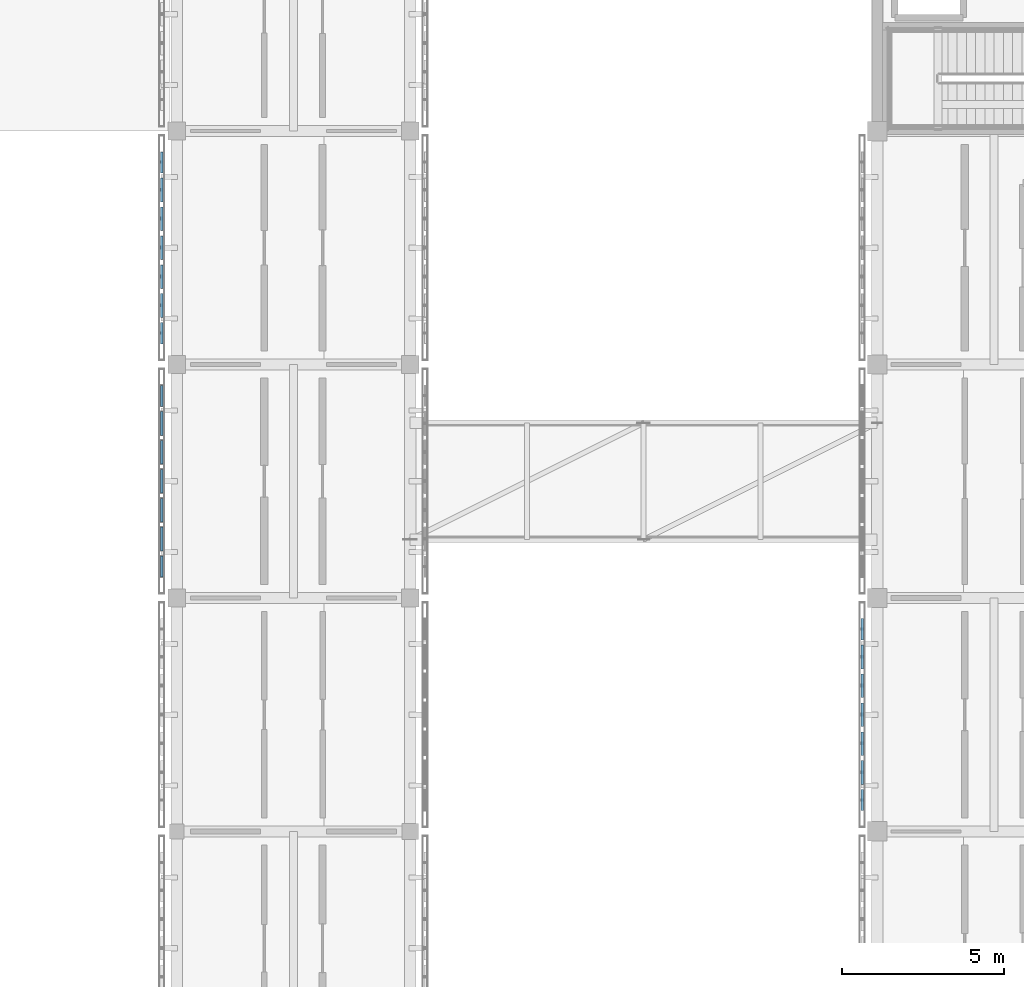
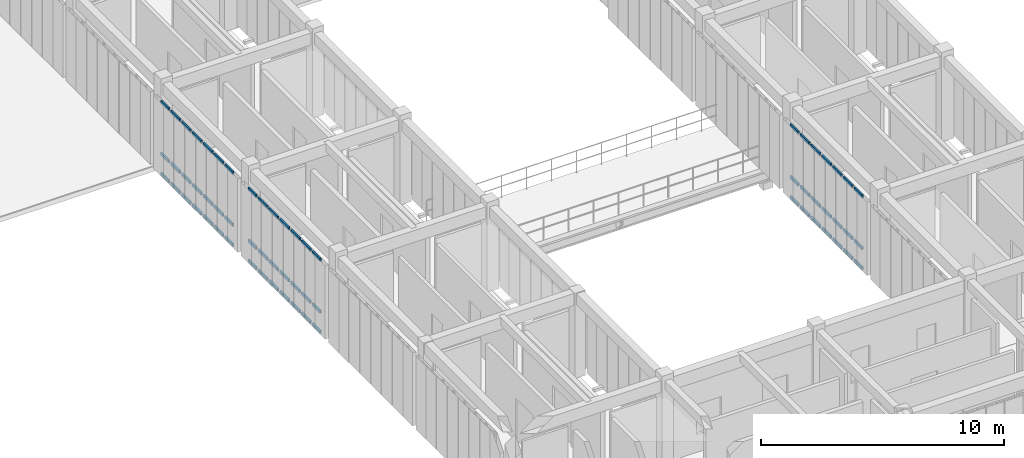
# One storey, part 36 of 91: 63 members, 3 elements without a shape of their own.
"""IFC4 building model written with IfcOpenShell, lengths in metres."""

from ifc_helpers import new_model, si_unit, direction, frame, origin, origin_2d, place, context, subcontext, project, spatial, hollow_rectangle, extrude, material, material_profile, profile_set, type_object, element, aggregate, save


model = new_model("IFC4")

# Units and contexts
model_context = context("Model", 3, precision=1e-05, world=origin(), true_north=direction((0.0, 1.0)))
body_context = subcontext(model_context, "Body", "Model", "MODEL_VIEW")
ifc_project = project(units=[si_unit("LENGTHUNIT", "METRE"), si_unit("AREAUNIT", "SQUARE_METRE"), si_unit("VOLUMEUNIT", "CUBIC_METRE"), si_unit("PLANEANGLEUNIT", "RADIAN"), si_unit("MASSUNIT", "GRAM", prefix="KILO")], contexts=[model_context])

# Site, building, storey
site_placement = place(None, origin())
site = spatial("IfcSite", under=ifc_project, at=site_placement, CompositionType="ELEMENT")
building_placement = place(site_placement, origin())
building = spatial("IfcBuilding", under=site, at=building_placement, Name="Aldebral Square Health Centre", CompositionType="ELEMENT")
storey_placement = place(building_placement, frame((0.0, 0.0, 9.0)))
storey = spatial("IfcBuildingStorey", under=building, at=storey_placement, Name="L02", CompositionType="ELEMENT", Elevation=9.0)

# Curtain wall, members
ifc_material_1 = material(Name="Aluminium and low-E solar glass", Category="aluminium")
curtain_wall_type = type_object("IfcCurtainWallType", Name="CW-FIN-SYS", PredefinedType="USERDEFINED", material=ifc_material_1)
curtain_wall_1_placement = place(storey_placement, origin())
curtain_wall_1 = element("IfcCurtainWall", 1, at=curtain_wall_1_placement, inside=storey, type_object=curtain_wall_type, Name="L02 V5 finned curtain wall L02-V5-19-11-W", ObjectType="SOLAR_CURTAIN_WALL", PredefinedType="USERDEFINED")
ifc_material_2 = material(Name="Anodised aluminium transom", Category="aluminium")
ifc_material_profile = material_profile(ifc_material_2, hollow_rectangle(XDim=0.074951171875, YDim=0.14990234375, WallThickness=0.00390625, at=origin_2d()), Name="CWT 75x150x4")
ifc_profile_set = profile_set([ifc_material_profile], Name="Anodised aluminium transom")
member_type = type_object("IfcMemberType", Name="CWT-STD", PredefinedType="USERDEFINED", material=ifc_profile_set)
member_1_placement = place(storey_placement, frame((136.340087890625, 85.760009765625, 0.03759765625), z_axis=(0.0, -1.0, 0.0), x_axis=(1.0, 0.0, 0.0)))
member_1 = element("IfcMember", 2, at=member_1_placement, type_object=member_type, Name="CW1 transom 1.1", ObjectType="TRANSOM", PredefinedType="USERDEFINED", context=body_context, shape_type="SweptSolid", body=[
    extrude(hollow_rectangle(XDim=0.074951171875, YDim=0.14990234375, WallThickness=0.00390625, at=origin_2d()), origin(), (0.0, 0.0, 1.0), 0.6513671875),
])
member_2_placement = place(storey_placement, frame((136.340087890625, 85.760009765625, 1.050048828125), z_axis=(0.0, -1.0, 0.0), x_axis=(1.0, 0.0, 0.0)))
member_2 = element("IfcMember", 3, at=member_2_placement, type_object=member_type, Name="CW1 transom 1.2", ObjectType="TRANSOM", PredefinedType="USERDEFINED", context=body_context, shape_type="SweptSolid", body=[
    extrude(hollow_rectangle(XDim=0.074951171875, YDim=0.14990234375, WallThickness=0.00390625, at=origin_2d()), origin(), (0.0, 0.0, 1.0), 0.6513671875),
])
member_3_placement = place(storey_placement, frame((136.340087890625, 85.760009765625, 3.652587890625), z_axis=(0.0, -1.0, 0.0), x_axis=(1.0, 0.0, 0.0)))
member_3 = element("IfcMember", 4, at=member_3_placement, type_object=member_type, Name="CW1 transom 1.3", ObjectType="TRANSOM", PredefinedType="USERDEFINED", context=body_context, shape_type="SweptSolid", body=[
    extrude(hollow_rectangle(XDim=0.074951171875, YDim=0.14990234375, WallThickness=0.00390625, at=origin_2d()), origin(), (0.0, 0.0, 1.0), 0.6513671875),
])
member_4_placement = place(storey_placement, frame((136.340087890625, 84.948486328125, 0.03759765625), z_axis=(0.0, -1.0, 0.0), x_axis=(1.0, 0.0, 0.0)))
member_4 = element("IfcMember", 5, at=member_4_placement, type_object=member_type, Name="CW1 transom 2.1", ObjectType="TRANSOM", PredefinedType="USERDEFINED", context=body_context, shape_type="SweptSolid", body=[
    extrude(hollow_rectangle(XDim=0.074951171875, YDim=0.14990234375, WallThickness=0.00390625, at=origin_2d()), origin(), (0.0, 0.0, 1.0), 0.7314453125),
])
member_5_placement = place(storey_placement, frame((136.340087890625, 84.948486328125, 1.050048828125), z_axis=(0.0, -1.0, 0.0), x_axis=(1.0, 0.0, 0.0)))
member_5 = element("IfcMember", 6, at=member_5_placement, type_object=member_type, Name="CW1 transom 2.2", ObjectType="TRANSOM", PredefinedType="USERDEFINED", context=body_context, shape_type="SweptSolid", body=[
    extrude(hollow_rectangle(XDim=0.074951171875, YDim=0.14990234375, WallThickness=0.00390625, at=origin_2d()), origin(), (0.0, 0.0, 1.0), 0.7314453125),
])
member_6_placement = place(storey_placement, frame((136.340087890625, 84.948486328125, 3.652587890625), z_axis=(0.0, -1.0, 0.0), x_axis=(1.0, 0.0, 0.0)))
member_6 = element("IfcMember", 7, at=member_6_placement, type_object=member_type, Name="CW1 transom 2.3", ObjectType="TRANSOM", PredefinedType="USERDEFINED", context=body_context, shape_type="SweptSolid", body=[
    extrude(hollow_rectangle(XDim=0.074951171875, YDim=0.14990234375, WallThickness=0.00390625, at=origin_2d()), origin(), (0.0, 0.0, 1.0), 0.7314453125),
])
member_7_placement = place(storey_placement, frame((136.340087890625, 84.05712890625, 0.03759765625), z_axis=(0.0, -1.0, 0.0), x_axis=(1.0, 0.0, 0.0)))
member_7 = element("IfcMember", 8, at=member_7_placement, type_object=member_type, Name="CW1 transom 3.1", ObjectType="TRANSOM", PredefinedType="USERDEFINED", context=body_context, shape_type="SweptSolid", body=[
    extrude(hollow_rectangle(XDim=0.074951171875, YDim=0.14990234375, WallThickness=0.00390625, at=origin_2d()), origin(), (0.0, 0.0, 1.0), 0.7314453125),
])
member_8_placement = place(storey_placement, frame((136.340087890625, 84.05712890625, 1.050048828125), z_axis=(0.0, -1.0, 0.0), x_axis=(1.0, 0.0, 0.0)))
member_8 = element("IfcMember", 9, at=member_8_placement, type_object=member_type, Name="CW1 transom 3.2", ObjectType="TRANSOM", PredefinedType="USERDEFINED", context=body_context, shape_type="SweptSolid", body=[
    extrude(hollow_rectangle(XDim=0.074951171875, YDim=0.14990234375, WallThickness=0.00390625, at=origin_2d()), origin(), (0.0, 0.0, 1.0), 0.7314453125),
])
member_9_placement = place(storey_placement, frame((136.340087890625, 84.05712890625, 3.652587890625), z_axis=(0.0, -1.0, 0.0), x_axis=(1.0, 0.0, 0.0)))
member_9 = element("IfcMember", 10, at=member_9_placement, type_object=member_type, Name="CW1 transom 3.3", ObjectType="TRANSOM", PredefinedType="USERDEFINED", context=body_context, shape_type="SweptSolid", body=[
    extrude(hollow_rectangle(XDim=0.074951171875, YDim=0.14990234375, WallThickness=0.00390625, at=origin_2d()), origin(), (0.0, 0.0, 1.0), 0.7314453125),
])
member_10_placement = place(storey_placement, frame((136.340087890625, 83.165771484375, 0.03759765625), z_axis=(0.0, -1.0, 0.0), x_axis=(1.0, 0.0, 0.0)))
member_10 = element("IfcMember", 11, at=member_10_placement, type_object=member_type, Name="CW1 transom 4.1", ObjectType="TRANSOM", PredefinedType="USERDEFINED", context=body_context, shape_type="SweptSolid", body=[
    extrude(hollow_rectangle(XDim=0.074951171875, YDim=0.14990234375, WallThickness=0.00390625, at=origin_2d()), origin(), (0.0, 0.0, 1.0), 0.7314453125),
])
member_11_placement = place(storey_placement, frame((136.340087890625, 83.165771484375, 1.050048828125), z_axis=(0.0, -1.0, 0.0), x_axis=(1.0, 0.0, 0.0)))
member_11 = element("IfcMember", 12, at=member_11_placement, type_object=member_type, Name="CW1 transom 4.2", ObjectType="TRANSOM", PredefinedType="USERDEFINED", context=body_context, shape_type="SweptSolid", body=[
    extrude(hollow_rectangle(XDim=0.074951171875, YDim=0.14990234375, WallThickness=0.00390625, at=origin_2d()), origin(), (0.0, 0.0, 1.0), 0.7314453125),
])
member_12_placement = place(storey_placement, frame((136.340087890625, 83.165771484375, 3.652587890625), z_axis=(0.0, -1.0, 0.0), x_axis=(1.0, 0.0, 0.0)))
member_12 = element("IfcMember", 13, at=member_12_placement, type_object=member_type, Name="CW1 transom 4.3", ObjectType="TRANSOM", PredefinedType="USERDEFINED", context=body_context, shape_type="SweptSolid", body=[
    extrude(hollow_rectangle(XDim=0.074951171875, YDim=0.14990234375, WallThickness=0.00390625, at=origin_2d()), origin(), (0.0, 0.0, 1.0), 0.7314453125),
])
member_13_placement = place(storey_placement, frame((136.340087890625, 82.274169921875, 0.03759765625), z_axis=(0.0, -1.0, 0.0), x_axis=(1.0, 0.0, 0.0)))
member_13 = element("IfcMember", 14, at=member_13_placement, type_object=member_type, Name="CW1 transom 5.1", ObjectType="TRANSOM", PredefinedType="USERDEFINED", context=body_context, shape_type="SweptSolid", body=[
    extrude(hollow_rectangle(XDim=0.074951171875, YDim=0.14990234375, WallThickness=0.00390625, at=origin_2d()), origin(), (0.0, 0.0, 1.0), 0.731201171875),
])
member_14_placement = place(storey_placement, frame((136.340087890625, 82.274169921875, 1.050048828125), z_axis=(0.0, -1.0, 0.0), x_axis=(1.0, 0.0, 0.0)))
member_14 = element("IfcMember", 15, at=member_14_placement, type_object=member_type, Name="CW1 transom 5.2", ObjectType="TRANSOM", PredefinedType="USERDEFINED", context=body_context, shape_type="SweptSolid", body=[
    extrude(hollow_rectangle(XDim=0.074951171875, YDim=0.14990234375, WallThickness=0.00390625, at=origin_2d()), origin(), (0.0, 0.0, 1.0), 0.731201171875),
])
member_15_placement = place(storey_placement, frame((136.340087890625, 82.274169921875, 3.652587890625), z_axis=(0.0, -1.0, 0.0), x_axis=(1.0, 0.0, 0.0)))
member_15 = element("IfcMember", 16, at=member_15_placement, type_object=member_type, Name="CW1 transom 5.3", ObjectType="TRANSOM", PredefinedType="USERDEFINED", context=body_context, shape_type="SweptSolid", body=[
    extrude(hollow_rectangle(XDim=0.074951171875, YDim=0.14990234375, WallThickness=0.00390625, at=origin_2d()), origin(), (0.0, 0.0, 1.0), 0.731201171875),
])
member_16_placement = place(storey_placement, frame((136.340087890625, 81.3828125, 0.03759765625), z_axis=(0.0, -1.0, 0.0), x_axis=(1.0, 0.0, 0.0)))
member_16 = element("IfcMember", 17, at=member_16_placement, type_object=member_type, Name="CW1 transom 6.1", ObjectType="TRANSOM", PredefinedType="USERDEFINED", context=body_context, shape_type="SweptSolid", body=[
    extrude(hollow_rectangle(XDim=0.074951171875, YDim=0.14990234375, WallThickness=0.00390625, at=origin_2d()), origin(), (0.0, 0.0, 1.0), 0.7314453125),
])
member_17_placement = place(storey_placement, frame((136.340087890625, 81.3828125, 1.050048828125), z_axis=(0.0, -1.0, 0.0), x_axis=(1.0, 0.0, 0.0)))
member_17 = element("IfcMember", 18, at=member_17_placement, type_object=member_type, Name="CW1 transom 6.2", ObjectType="TRANSOM", PredefinedType="USERDEFINED", context=body_context, shape_type="SweptSolid", body=[
    extrude(hollow_rectangle(XDim=0.074951171875, YDim=0.14990234375, WallThickness=0.00390625, at=origin_2d()), origin(), (0.0, 0.0, 1.0), 0.7314453125),
])
member_18_placement = place(storey_placement, frame((136.340087890625, 81.3828125, 3.652587890625), z_axis=(0.0, -1.0, 0.0), x_axis=(1.0, 0.0, 0.0)))
member_18 = element("IfcMember", 19, at=member_18_placement, type_object=member_type, Name="CW1 transom 6.3", ObjectType="TRANSOM", PredefinedType="USERDEFINED", context=body_context, shape_type="SweptSolid", body=[
    extrude(hollow_rectangle(XDim=0.074951171875, YDim=0.14990234375, WallThickness=0.00390625, at=origin_2d()), origin(), (0.0, 0.0, 1.0), 0.7314453125),
])
member_19_placement = place(storey_placement, frame((136.340087890625, 80.491455078125, 0.03759765625), z_axis=(0.0, -1.0, 0.0), x_axis=(1.0, 0.0, 0.0)))
member_19 = element("IfcMember", 20, at=member_19_placement, type_object=member_type, Name="CW1 transom 7.1", ObjectType="TRANSOM", PredefinedType="USERDEFINED", context=body_context, shape_type="SweptSolid", body=[
    extrude(hollow_rectangle(XDim=0.074951171875, YDim=0.14990234375, WallThickness=0.00390625, at=origin_2d()), origin(), (0.0, 0.0, 1.0), 0.6513671875),
])
member_20_placement = place(storey_placement, frame((136.340087890625, 80.491455078125, 1.050048828125), z_axis=(0.0, -1.0, 0.0), x_axis=(1.0, 0.0, 0.0)))
member_20 = element("IfcMember", 21, at=member_20_placement, type_object=member_type, Name="CW1 transom 7.2", ObjectType="TRANSOM", PredefinedType="USERDEFINED", context=body_context, shape_type="SweptSolid", body=[
    extrude(hollow_rectangle(XDim=0.074951171875, YDim=0.14990234375, WallThickness=0.00390625, at=origin_2d()), origin(), (0.0, 0.0, 1.0), 0.6513671875),
])
member_21_placement = place(storey_placement, frame((136.340087890625, 80.491455078125, 3.652587890625), z_axis=(0.0, -1.0, 0.0), x_axis=(1.0, 0.0, 0.0)))
member_21 = element("IfcMember", 22, at=member_21_placement, type_object=member_type, Name="CW1 transom 7.3", ObjectType="TRANSOM", PredefinedType="USERDEFINED", context=body_context, shape_type="SweptSolid", body=[
    extrude(hollow_rectangle(XDim=0.074951171875, YDim=0.14990234375, WallThickness=0.00390625, at=origin_2d()), origin(), (0.0, 0.0, 1.0), 0.6513671875),
])
aggregate(curtain_wall_1, [member_1, member_2, member_3, member_4, member_5, member_6, member_7, member_8, member_9, member_10, member_11, member_12, member_13, member_14, member_15, member_16, member_17, member_18, member_19, member_20, member_21])

curtain_wall_2_placement = place(storey_placement, origin())
curtain_wall_2 = element("IfcCurtainWall", 23, at=curtain_wall_2_placement, inside=storey, type_object=curtain_wall_type, Name="L02 V5 finned curtain wall L02-V5-19-12-W", ObjectType="SOLAR_CURTAIN_WALL", PredefinedType="USERDEFINED")
member_22_placement = place(storey_placement, frame((136.340087890625, 92.9599609375, 0.03759765625), z_axis=(0.0, -1.0, 0.0), x_axis=(1.0, 0.0, 0.0)))
member_22 = element("IfcMember", 24, at=member_22_placement, type_object=member_type, Name="CW1 transom 1.1", ObjectType="TRANSOM", PredefinedType="USERDEFINED", context=body_context, shape_type="SweptSolid", body=[
    extrude(hollow_rectangle(XDim=0.074951171875, YDim=0.14990234375, WallThickness=0.00390625, at=origin_2d()), origin(), (0.0, 0.0, 1.0), 0.6513671875),
])
member_23_placement = place(storey_placement, frame((136.340087890625, 92.9599609375, 1.050048828125), z_axis=(0.0, -1.0, 0.0), x_axis=(1.0, 0.0, 0.0)))
member_23 = element("IfcMember", 25, at=member_23_placement, type_object=member_type, Name="CW1 transom 1.2", ObjectType="TRANSOM", PredefinedType="USERDEFINED", context=body_context, shape_type="SweptSolid", body=[
    extrude(hollow_rectangle(XDim=0.074951171875, YDim=0.14990234375, WallThickness=0.00390625, at=origin_2d()), origin(), (0.0, 0.0, 1.0), 0.6513671875),
])
member_24_placement = place(storey_placement, frame((136.340087890625, 92.9599609375, 3.652587890625), z_axis=(0.0, -1.0, 0.0), x_axis=(1.0, 0.0, 0.0)))
member_24 = element("IfcMember", 26, at=member_24_placement, type_object=member_type, Name="CW1 transom 1.3", ObjectType="TRANSOM", PredefinedType="USERDEFINED", context=body_context, shape_type="SweptSolid", body=[
    extrude(hollow_rectangle(XDim=0.074951171875, YDim=0.14990234375, WallThickness=0.00390625, at=origin_2d()), origin(), (0.0, 0.0, 1.0), 0.6513671875),
])
member_25_placement = place(storey_placement, frame((136.340087890625, 92.148681640625, 0.03759765625), z_axis=(0.0, -1.0, 0.0), x_axis=(1.0, 0.0, 0.0)))
member_25 = element("IfcMember", 27, at=member_25_placement, type_object=member_type, Name="CW1 transom 2.1", ObjectType="TRANSOM", PredefinedType="USERDEFINED", context=body_context, shape_type="SweptSolid", body=[
    extrude(hollow_rectangle(XDim=0.074951171875, YDim=0.14990234375, WallThickness=0.00390625, at=origin_2d()), origin(), (0.0, 0.0, 1.0), 0.7314453125),
])
member_26_placement = place(storey_placement, frame((136.340087890625, 92.148681640625, 1.050048828125), z_axis=(0.0, -1.0, 0.0), x_axis=(1.0, 0.0, 0.0)))
member_26 = element("IfcMember", 28, at=member_26_placement, type_object=member_type, Name="CW1 transom 2.2", ObjectType="TRANSOM", PredefinedType="USERDEFINED", context=body_context, shape_type="SweptSolid", body=[
    extrude(hollow_rectangle(XDim=0.074951171875, YDim=0.14990234375, WallThickness=0.00390625, at=origin_2d()), origin(), (0.0, 0.0, 1.0), 0.7314453125),
])
member_27_placement = place(storey_placement, frame((136.340087890625, 92.148681640625, 3.652587890625), z_axis=(0.0, -1.0, 0.0), x_axis=(1.0, 0.0, 0.0)))
member_27 = element("IfcMember", 29, at=member_27_placement, type_object=member_type, Name="CW1 transom 2.3", ObjectType="TRANSOM", PredefinedType="USERDEFINED", context=body_context, shape_type="SweptSolid", body=[
    extrude(hollow_rectangle(XDim=0.074951171875, YDim=0.14990234375, WallThickness=0.00390625, at=origin_2d()), origin(), (0.0, 0.0, 1.0), 0.7314453125),
])
member_28_placement = place(storey_placement, frame((136.340087890625, 91.257080078125, 0.03759765625), z_axis=(0.0, -1.0, 0.0), x_axis=(1.0, 0.0, 0.0)))
member_28 = element("IfcMember", 30, at=member_28_placement, type_object=member_type, Name="CW1 transom 3.1", ObjectType="TRANSOM", PredefinedType="USERDEFINED", context=body_context, shape_type="SweptSolid", body=[
    extrude(hollow_rectangle(XDim=0.074951171875, YDim=0.14990234375, WallThickness=0.00390625, at=origin_2d()), origin(), (0.0, 0.0, 1.0), 0.7314453125),
])
member_29_placement = place(storey_placement, frame((136.340087890625, 91.257080078125, 1.050048828125), z_axis=(0.0, -1.0, 0.0), x_axis=(1.0, 0.0, 0.0)))
member_29 = element("IfcMember", 31, at=member_29_placement, type_object=member_type, Name="CW1 transom 3.2", ObjectType="TRANSOM", PredefinedType="USERDEFINED", context=body_context, shape_type="SweptSolid", body=[
    extrude(hollow_rectangle(XDim=0.074951171875, YDim=0.14990234375, WallThickness=0.00390625, at=origin_2d()), origin(), (0.0, 0.0, 1.0), 0.7314453125),
])
member_30_placement = place(storey_placement, frame((136.340087890625, 91.257080078125, 3.652587890625), z_axis=(0.0, -1.0, 0.0), x_axis=(1.0, 0.0, 0.0)))
member_30 = element("IfcMember", 32, at=member_30_placement, type_object=member_type, Name="CW1 transom 3.3", ObjectType="TRANSOM", PredefinedType="USERDEFINED", context=body_context, shape_type="SweptSolid", body=[
    extrude(hollow_rectangle(XDim=0.074951171875, YDim=0.14990234375, WallThickness=0.00390625, at=origin_2d()), origin(), (0.0, 0.0, 1.0), 0.7314453125),
])
member_31_placement = place(storey_placement, frame((136.340087890625, 90.36572265625, 0.03759765625), z_axis=(0.0, -1.0, 0.0), x_axis=(1.0, 0.0, 0.0)))
member_31 = element("IfcMember", 33, at=member_31_placement, type_object=member_type, Name="CW1 transom 4.1", ObjectType="TRANSOM", PredefinedType="USERDEFINED", context=body_context, shape_type="SweptSolid", body=[
    extrude(hollow_rectangle(XDim=0.074951171875, YDim=0.14990234375, WallThickness=0.00390625, at=origin_2d()), origin(), (0.0, 0.0, 1.0), 0.7314453125),
])
member_32_placement = place(storey_placement, frame((136.340087890625, 90.36572265625, 1.050048828125), z_axis=(0.0, -1.0, 0.0), x_axis=(1.0, 0.0, 0.0)))
member_32 = element("IfcMember", 34, at=member_32_placement, type_object=member_type, Name="CW1 transom 4.2", ObjectType="TRANSOM", PredefinedType="USERDEFINED", context=body_context, shape_type="SweptSolid", body=[
    extrude(hollow_rectangle(XDim=0.074951171875, YDim=0.14990234375, WallThickness=0.00390625, at=origin_2d()), origin(), (0.0, 0.0, 1.0), 0.7314453125),
])
member_33_placement = place(storey_placement, frame((136.340087890625, 90.36572265625, 3.652587890625), z_axis=(0.0, -1.0, 0.0), x_axis=(1.0, 0.0, 0.0)))
member_33 = element("IfcMember", 35, at=member_33_placement, type_object=member_type, Name="CW1 transom 4.3", ObjectType="TRANSOM", PredefinedType="USERDEFINED", context=body_context, shape_type="SweptSolid", body=[
    extrude(hollow_rectangle(XDim=0.074951171875, YDim=0.14990234375, WallThickness=0.00390625, at=origin_2d()), origin(), (0.0, 0.0, 1.0), 0.7314453125),
])
member_34_placement = place(storey_placement, frame((136.340087890625, 89.474365234375, 0.03759765625), z_axis=(0.0, -1.0, 0.0), x_axis=(1.0, 0.0, 0.0)))
member_34 = element("IfcMember", 36, at=member_34_placement, type_object=member_type, Name="CW1 transom 5.1", ObjectType="TRANSOM", PredefinedType="USERDEFINED", context=body_context, shape_type="SweptSolid", body=[
    extrude(hollow_rectangle(XDim=0.074951171875, YDim=0.14990234375, WallThickness=0.00390625, at=origin_2d()), origin(), (0.0, 0.0, 1.0), 0.7314453125),
])
member_35_placement = place(storey_placement, frame((136.340087890625, 89.474365234375, 1.050048828125), z_axis=(0.0, -1.0, 0.0), x_axis=(1.0, 0.0, 0.0)))
member_35 = element("IfcMember", 37, at=member_35_placement, type_object=member_type, Name="CW1 transom 5.2", ObjectType="TRANSOM", PredefinedType="USERDEFINED", context=body_context, shape_type="SweptSolid", body=[
    extrude(hollow_rectangle(XDim=0.074951171875, YDim=0.14990234375, WallThickness=0.00390625, at=origin_2d()), origin(), (0.0, 0.0, 1.0), 0.7314453125),
])
member_36_placement = place(storey_placement, frame((136.340087890625, 89.474365234375, 3.652587890625), z_axis=(0.0, -1.0, 0.0), x_axis=(1.0, 0.0, 0.0)))
member_36 = element("IfcMember", 38, at=member_36_placement, type_object=member_type, Name="CW1 transom 5.3", ObjectType="TRANSOM", PredefinedType="USERDEFINED", context=body_context, shape_type="SweptSolid", body=[
    extrude(hollow_rectangle(XDim=0.074951171875, YDim=0.14990234375, WallThickness=0.00390625, at=origin_2d()), origin(), (0.0, 0.0, 1.0), 0.7314453125),
])
member_37_placement = place(storey_placement, frame((136.340087890625, 88.582763671875, 0.03759765625), z_axis=(0.0, -1.0, 0.0), x_axis=(1.0, 0.0, 0.0)))
member_37 = element("IfcMember", 39, at=member_37_placement, type_object=member_type, Name="CW1 transom 6.1", ObjectType="TRANSOM", PredefinedType="USERDEFINED", context=body_context, shape_type="SweptSolid", body=[
    extrude(hollow_rectangle(XDim=0.074951171875, YDim=0.14990234375, WallThickness=0.00390625, at=origin_2d()), origin(), (0.0, 0.0, 1.0), 0.7314453125),
])
member_38_placement = place(storey_placement, frame((136.340087890625, 88.582763671875, 1.050048828125), z_axis=(0.0, -1.0, 0.0), x_axis=(1.0, 0.0, 0.0)))
member_38 = element("IfcMember", 40, at=member_38_placement, type_object=member_type, Name="CW1 transom 6.2", ObjectType="TRANSOM", PredefinedType="USERDEFINED", context=body_context, shape_type="SweptSolid", body=[
    extrude(hollow_rectangle(XDim=0.074951171875, YDim=0.14990234375, WallThickness=0.00390625, at=origin_2d()), origin(), (0.0, 0.0, 1.0), 0.7314453125),
])
member_39_placement = place(storey_placement, frame((136.340087890625, 88.582763671875, 3.652587890625), z_axis=(0.0, -1.0, 0.0), x_axis=(1.0, 0.0, 0.0)))
member_39 = element("IfcMember", 41, at=member_39_placement, type_object=member_type, Name="CW1 transom 6.3", ObjectType="TRANSOM", PredefinedType="USERDEFINED", context=body_context, shape_type="SweptSolid", body=[
    extrude(hollow_rectangle(XDim=0.074951171875, YDim=0.14990234375, WallThickness=0.00390625, at=origin_2d()), origin(), (0.0, 0.0, 1.0), 0.7314453125),
])
member_40_placement = place(storey_placement, frame((136.340087890625, 87.69140625, 0.03759765625), z_axis=(0.0, -1.0, 0.0), x_axis=(1.0, 0.0, 0.0)))
member_40 = element("IfcMember", 42, at=member_40_placement, type_object=member_type, Name="CW1 transom 7.1", ObjectType="TRANSOM", PredefinedType="USERDEFINED", context=body_context, shape_type="SweptSolid", body=[
    extrude(hollow_rectangle(XDim=0.074951171875, YDim=0.14990234375, WallThickness=0.00390625, at=origin_2d()), origin(), (0.0, 0.0, 1.0), 0.6513671875),
])
member_41_placement = place(storey_placement, frame((136.340087890625, 87.69140625, 1.050048828125), z_axis=(0.0, -1.0, 0.0), x_axis=(1.0, 0.0, 0.0)))
member_41 = element("IfcMember", 43, at=member_41_placement, type_object=member_type, Name="CW1 transom 7.2", ObjectType="TRANSOM", PredefinedType="USERDEFINED", context=body_context, shape_type="SweptSolid", body=[
    extrude(hollow_rectangle(XDim=0.074951171875, YDim=0.14990234375, WallThickness=0.00390625, at=origin_2d()), origin(), (0.0, 0.0, 1.0), 0.6513671875),
])
member_42_placement = place(storey_placement, frame((136.340087890625, 87.69140625, 3.652587890625), z_axis=(0.0, -1.0, 0.0), x_axis=(1.0, 0.0, 0.0)))
member_42 = element("IfcMember", 44, at=member_42_placement, type_object=member_type, Name="CW1 transom 7.3", ObjectType="TRANSOM", PredefinedType="USERDEFINED", context=body_context, shape_type="SweptSolid", body=[
    extrude(hollow_rectangle(XDim=0.074951171875, YDim=0.14990234375, WallThickness=0.00390625, at=origin_2d()), origin(), (0.0, 0.0, 1.0), 0.6513671875),
])
aggregate(curtain_wall_2, [member_22, member_23, member_24, member_25, member_26, member_27, member_28, member_29, member_30, member_31, member_32, member_33, member_34, member_35, member_36, member_37, member_38, member_39, member_40, member_41, member_42])

curtain_wall_3_placement = place(storey_placement, origin())
curtain_wall_3 = element("IfcCurtainWall", 45, at=curtain_wall_3_placement, inside=storey, type_object=curtain_wall_type, Name="L02 V5 finned curtain wall L02-V5-22-10-W", ObjectType="SOLAR_CURTAIN_WALL", PredefinedType="USERDEFINED")
member_43_placement = place(storey_placement, frame((157.93994140625, 78.56005859375, 0.03759765625), z_axis=(0.0, -1.0, 0.0), x_axis=(1.0, 0.0, 0.0)))
member_43 = element("IfcMember", 46, at=member_43_placement, type_object=member_type, Name="CW1 transom 1.1", ObjectType="TRANSOM", PredefinedType="USERDEFINED", context=body_context, shape_type="SweptSolid", body=[
    extrude(hollow_rectangle(XDim=0.074951171875, YDim=0.14990234375, WallThickness=0.00390625, at=origin_2d()), origin(), (0.0, 0.0, 1.0), 0.6513671875),
])
member_44_placement = place(storey_placement, frame((157.93994140625, 78.56005859375, 1.050048828125), z_axis=(0.0, -1.0, 0.0), x_axis=(1.0, 0.0, 0.0)))
member_44 = element("IfcMember", 47, at=member_44_placement, type_object=member_type, Name="CW1 transom 1.2", ObjectType="TRANSOM", PredefinedType="USERDEFINED", context=body_context, shape_type="SweptSolid", body=[
    extrude(hollow_rectangle(XDim=0.074951171875, YDim=0.14990234375, WallThickness=0.00390625, at=origin_2d()), origin(), (0.0, 0.0, 1.0), 0.6513671875),
])
member_45_placement = place(storey_placement, frame((157.93994140625, 78.56005859375, 3.652587890625), z_axis=(0.0, -1.0, 0.0), x_axis=(1.0, 0.0, 0.0)))
member_45 = element("IfcMember", 48, at=member_45_placement, type_object=member_type, Name="CW1 transom 1.3", ObjectType="TRANSOM", PredefinedType="USERDEFINED", context=body_context, shape_type="SweptSolid", body=[
    extrude(hollow_rectangle(XDim=0.074951171875, YDim=0.14990234375, WallThickness=0.00390625, at=origin_2d()), origin(), (0.0, 0.0, 1.0), 0.6513671875),
])
member_46_placement = place(storey_placement, frame((157.93994140625, 77.74853515625, 0.03759765625), z_axis=(0.0, -1.0, 0.0), x_axis=(1.0, 0.0, 0.0)))
member_46 = element("IfcMember", 49, at=member_46_placement, type_object=member_type, Name="CW1 transom 2.1", ObjectType="TRANSOM", PredefinedType="USERDEFINED", context=body_context, shape_type="SweptSolid", body=[
    extrude(hollow_rectangle(XDim=0.074951171875, YDim=0.14990234375, WallThickness=0.00390625, at=origin_2d()), origin(), (0.0, 0.0, 1.0), 0.7314453125),
])
member_47_placement = place(storey_placement, frame((157.93994140625, 77.74853515625, 1.050048828125), z_axis=(0.0, -1.0, 0.0), x_axis=(1.0, 0.0, 0.0)))
member_47 = element("IfcMember", 50, at=member_47_placement, type_object=member_type, Name="CW1 transom 2.2", ObjectType="TRANSOM", PredefinedType="USERDEFINED", context=body_context, shape_type="SweptSolid", body=[
    extrude(hollow_rectangle(XDim=0.074951171875, YDim=0.14990234375, WallThickness=0.00390625, at=origin_2d()), origin(), (0.0, 0.0, 1.0), 0.7314453125),
])
member_48_placement = place(storey_placement, frame((157.93994140625, 77.74853515625, 3.652587890625), z_axis=(0.0, -1.0, 0.0), x_axis=(1.0, 0.0, 0.0)))
member_48 = element("IfcMember", 51, at=member_48_placement, type_object=member_type, Name="CW1 transom 2.3", ObjectType="TRANSOM", PredefinedType="USERDEFINED", context=body_context, shape_type="SweptSolid", body=[
    extrude(hollow_rectangle(XDim=0.074951171875, YDim=0.14990234375, WallThickness=0.00390625, at=origin_2d()), origin(), (0.0, 0.0, 1.0), 0.7314453125),
])
member_49_placement = place(storey_placement, frame((157.93994140625, 76.857177734375, 0.03759765625), z_axis=(0.0, -1.0, 0.0), x_axis=(1.0, 0.0, 0.0)))
member_49 = element("IfcMember", 52, at=member_49_placement, type_object=member_type, Name="CW1 transom 3.1", ObjectType="TRANSOM", PredefinedType="USERDEFINED", context=body_context, shape_type="SweptSolid", body=[
    extrude(hollow_rectangle(XDim=0.074951171875, YDim=0.14990234375, WallThickness=0.00390625, at=origin_2d()), origin(), (0.0, 0.0, 1.0), 0.7314453125),
])
member_50_placement = place(storey_placement, frame((157.93994140625, 76.857177734375, 1.050048828125), z_axis=(0.0, -1.0, 0.0), x_axis=(1.0, 0.0, 0.0)))
member_50 = element("IfcMember", 53, at=member_50_placement, type_object=member_type, Name="CW1 transom 3.2", ObjectType="TRANSOM", PredefinedType="USERDEFINED", context=body_context, shape_type="SweptSolid", body=[
    extrude(hollow_rectangle(XDim=0.074951171875, YDim=0.14990234375, WallThickness=0.00390625, at=origin_2d()), origin(), (0.0, 0.0, 1.0), 0.7314453125),
])
member_51_placement = place(storey_placement, frame((157.93994140625, 76.857177734375, 3.652587890625), z_axis=(0.0, -1.0, 0.0), x_axis=(1.0, 0.0, 0.0)))
member_51 = element("IfcMember", 54, at=member_51_placement, type_object=member_type, Name="CW1 transom 3.3", ObjectType="TRANSOM", PredefinedType="USERDEFINED", context=body_context, shape_type="SweptSolid", body=[
    extrude(hollow_rectangle(XDim=0.074951171875, YDim=0.14990234375, WallThickness=0.00390625, at=origin_2d()), origin(), (0.0, 0.0, 1.0), 0.7314453125),
])
member_52_placement = place(storey_placement, frame((157.93994140625, 75.9658203125, 0.03759765625), z_axis=(0.0, -1.0, 0.0), x_axis=(1.0, 0.0, 0.0)))
member_52 = element("IfcMember", 55, at=member_52_placement, type_object=member_type, Name="CW1 transom 4.1", ObjectType="TRANSOM", PredefinedType="USERDEFINED", context=body_context, shape_type="SweptSolid", body=[
    extrude(hollow_rectangle(XDim=0.074951171875, YDim=0.14990234375, WallThickness=0.00390625, at=origin_2d()), origin(), (0.0, 0.0, 1.0), 0.7314453125),
])
member_53_placement = place(storey_placement, frame((157.93994140625, 75.9658203125, 1.050048828125), z_axis=(0.0, -1.0, 0.0), x_axis=(1.0, 0.0, 0.0)))
member_53 = element("IfcMember", 56, at=member_53_placement, type_object=member_type, Name="CW1 transom 4.2", ObjectType="TRANSOM", PredefinedType="USERDEFINED", context=body_context, shape_type="SweptSolid", body=[
    extrude(hollow_rectangle(XDim=0.074951171875, YDim=0.14990234375, WallThickness=0.00390625, at=origin_2d()), origin(), (0.0, 0.0, 1.0), 0.7314453125),
])
member_54_placement = place(storey_placement, frame((157.93994140625, 75.9658203125, 3.652587890625), z_axis=(0.0, -1.0, 0.0), x_axis=(1.0, 0.0, 0.0)))
member_54 = element("IfcMember", 57, at=member_54_placement, type_object=member_type, Name="CW1 transom 4.3", ObjectType="TRANSOM", PredefinedType="USERDEFINED", context=body_context, shape_type="SweptSolid", body=[
    extrude(hollow_rectangle(XDim=0.074951171875, YDim=0.14990234375, WallThickness=0.00390625, at=origin_2d()), origin(), (0.0, 0.0, 1.0), 0.7314453125),
])
member_55_placement = place(storey_placement, frame((157.93994140625, 75.07421875, 0.03759765625), z_axis=(0.0, -1.0, 0.0), x_axis=(1.0, 0.0, 0.0)))
member_55 = element("IfcMember", 58, at=member_55_placement, type_object=member_type, Name="CW1 transom 5.1", ObjectType="TRANSOM", PredefinedType="USERDEFINED", context=body_context, shape_type="SweptSolid", body=[
    extrude(hollow_rectangle(XDim=0.074951171875, YDim=0.14990234375, WallThickness=0.00390625, at=origin_2d()), origin(), (0.0, 0.0, 1.0), 0.7314453125),
])
member_56_placement = place(storey_placement, frame((157.93994140625, 75.07421875, 1.050048828125), z_axis=(0.0, -1.0, 0.0), x_axis=(1.0, 0.0, 0.0)))
member_56 = element("IfcMember", 59, at=member_56_placement, type_object=member_type, Name="CW1 transom 5.2", ObjectType="TRANSOM", PredefinedType="USERDEFINED", context=body_context, shape_type="SweptSolid", body=[
    extrude(hollow_rectangle(XDim=0.074951171875, YDim=0.14990234375, WallThickness=0.00390625, at=origin_2d()), origin(), (0.0, 0.0, 1.0), 0.7314453125),
])
member_57_placement = place(storey_placement, frame((157.93994140625, 75.07421875, 3.652587890625), z_axis=(0.0, -1.0, 0.0), x_axis=(1.0, 0.0, 0.0)))
member_57 = element("IfcMember", 60, at=member_57_placement, type_object=member_type, Name="CW1 transom 5.3", ObjectType="TRANSOM", PredefinedType="USERDEFINED", context=body_context, shape_type="SweptSolid", body=[
    extrude(hollow_rectangle(XDim=0.074951171875, YDim=0.14990234375, WallThickness=0.00390625, at=origin_2d()), origin(), (0.0, 0.0, 1.0), 0.7314453125),
])
member_58_placement = place(storey_placement, frame((157.93994140625, 74.182861328125, 0.03759765625), z_axis=(0.0, -1.0, 0.0), x_axis=(1.0, 0.0, 0.0)))
member_58 = element("IfcMember", 61, at=member_58_placement, type_object=member_type, Name="CW1 transom 6.1", ObjectType="TRANSOM", PredefinedType="USERDEFINED", context=body_context, shape_type="SweptSolid", body=[
    extrude(hollow_rectangle(XDim=0.074951171875, YDim=0.14990234375, WallThickness=0.00390625, at=origin_2d()), origin(), (0.0, 0.0, 1.0), 0.7314453125),
])
member_59_placement = place(storey_placement, frame((157.93994140625, 74.182861328125, 1.050048828125), z_axis=(0.0, -1.0, 0.0), x_axis=(1.0, 0.0, 0.0)))
member_59 = element("IfcMember", 62, at=member_59_placement, type_object=member_type, Name="CW1 transom 6.2", ObjectType="TRANSOM", PredefinedType="USERDEFINED", context=body_context, shape_type="SweptSolid", body=[
    extrude(hollow_rectangle(XDim=0.074951171875, YDim=0.14990234375, WallThickness=0.00390625, at=origin_2d()), origin(), (0.0, 0.0, 1.0), 0.7314453125),
])
member_60_placement = place(storey_placement, frame((157.93994140625, 74.182861328125, 3.652587890625), z_axis=(0.0, -1.0, 0.0), x_axis=(1.0, 0.0, 0.0)))
member_60 = element("IfcMember", 63, at=member_60_placement, type_object=member_type, Name="CW1 transom 6.3", ObjectType="TRANSOM", PredefinedType="USERDEFINED", context=body_context, shape_type="SweptSolid", body=[
    extrude(hollow_rectangle(XDim=0.074951171875, YDim=0.14990234375, WallThickness=0.00390625, at=origin_2d()), origin(), (0.0, 0.0, 1.0), 0.7314453125),
])
member_61_placement = place(storey_placement, frame((157.93994140625, 73.29150390625, 0.03759765625), z_axis=(0.0, -1.0, 0.0), x_axis=(1.0, 0.0, 0.0)))
member_61 = element("IfcMember", 64, at=member_61_placement, type_object=member_type, Name="CW1 transom 7.1", ObjectType="TRANSOM", PredefinedType="USERDEFINED", context=body_context, shape_type="SweptSolid", body=[
    extrude(hollow_rectangle(XDim=0.074951171875, YDim=0.14990234375, WallThickness=0.00390625, at=origin_2d()), origin(), (0.0, 0.0, 1.0), 0.651611328125),
])
member_62_placement = place(storey_placement, frame((157.93994140625, 73.29150390625, 1.050048828125), z_axis=(0.0, -1.0, 0.0), x_axis=(1.0, 0.0, 0.0)))
member_62 = element("IfcMember", 65, at=member_62_placement, type_object=member_type, Name="CW1 transom 7.2", ObjectType="TRANSOM", PredefinedType="USERDEFINED", context=body_context, shape_type="SweptSolid", body=[
    extrude(hollow_rectangle(XDim=0.074951171875, YDim=0.14990234375, WallThickness=0.00390625, at=origin_2d()), origin(), (0.0, 0.0, 1.0), 0.651611328125),
])
member_63_placement = place(storey_placement, frame((157.93994140625, 73.29150390625, 3.652587890625), z_axis=(0.0, -1.0, 0.0), x_axis=(1.0, 0.0, 0.0)))
member_63 = element("IfcMember", 66, at=member_63_placement, type_object=member_type, Name="CW1 transom 7.3", ObjectType="TRANSOM", PredefinedType="USERDEFINED", context=body_context, shape_type="SweptSolid", body=[
    extrude(hollow_rectangle(XDim=0.074951171875, YDim=0.14990234375, WallThickness=0.00390625, at=origin_2d()), origin(), (0.0, 0.0, 1.0), 0.651611328125),
])
aggregate(curtain_wall_3, [member_43, member_44, member_45, member_46, member_47, member_48, member_49, member_50, member_51, member_52, member_53, member_54, member_55, member_56, member_57, member_58, member_59, member_60, member_61, member_62, member_63])

save(model, "model.ifc")
